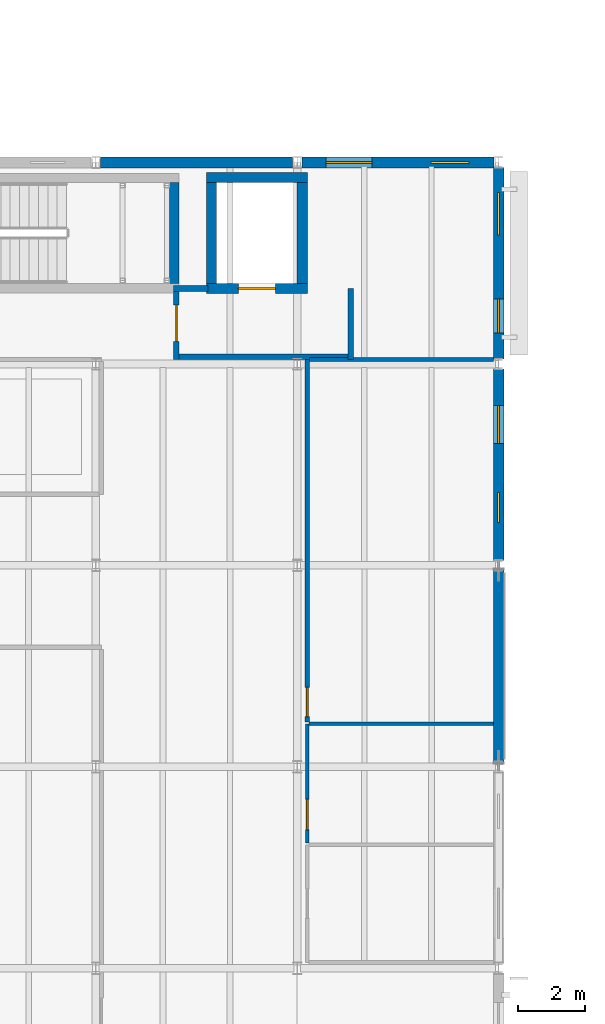
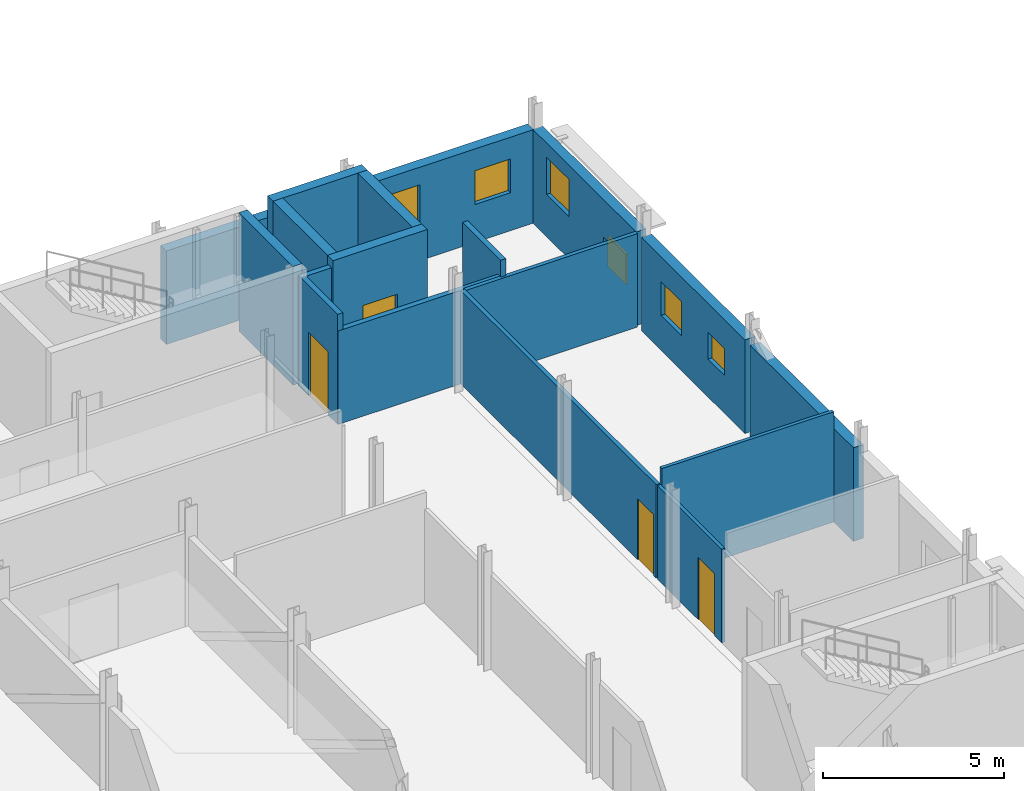
# One storey, part 71 of 92: 18 walls, 6 windows, 4 doors, 10 openings.
"""IFC4 building model written with IfcOpenShell, lengths in metres."""

from ifc_helpers import new_model, si_unit, direction, frame, frame_2d, origin, place, context, subcontext, project, spatial, rectangle, extrude, material, layer, layer_set, type_object, element, fill, save


model = new_model("IFC4")

# Units and contexts
model_context = context("Model", 3, precision=1e-05, world=origin(), true_north=direction((0.0, 1.0)))
body_context = subcontext(model_context, "Body", "Model", "MODEL_VIEW")
ifc_project = project(units=[si_unit("LENGTHUNIT", "METRE"), si_unit("AREAUNIT", "SQUARE_METRE"), si_unit("VOLUMEUNIT", "CUBIC_METRE"), si_unit("PLANEANGLEUNIT", "RADIAN"), si_unit("MASSUNIT", "GRAM", prefix="KILO")], contexts=[model_context])

# Site, building, storey
site_placement = place(None, origin())
site = spatial("IfcSite", under=ifc_project, at=site_placement, CompositionType="ELEMENT")
building_placement = place(site_placement, origin())
building = spatial("IfcBuilding", under=site, at=building_placement, Name="Siltcreek Boulevard Central Fire Station", CompositionType="ELEMENT")
storey_placement = place(building_placement, frame((0.0, 0.0, 6.0)))
storey = spatial("IfcBuildingStorey", under=building, at=storey_placement, Name="L02", CompositionType="ELEMENT", Elevation=6.0)

# Wall
ifc_material_1 = material(Name="Concrete C40/50", Category="concrete")
ifc_layer_1 = layer(ifc_material_1, 0.280029296875, Name="Concrete C40/50")
ifc_layer_set_1 = layer_set([ifc_layer_1], Name="Concrete C40/50")
wall_type_1 = type_object("IfcWallType", Name="CW_SHEAR280", PredefinedType="SHEAR", material=ifc_layer_set_1)
wall_1_placement = place(storey_placement, frame((98.340087890625, 50.39990234375, 0.0), z_axis=(0.0, 0.0, 1.0), x_axis=(0.0, 1.0, 0.0)))
element("IfcWall", 1, at=wall_1_placement, inside=storey, type_object=wall_type_1, Name="L02 ST-V2A stair enclosure east shear wall", PredefinedType="SHEAR", context=body_context, shape_type="SweptSolid", body=[
    extrude(rectangle(XDim=3.0, YDim=0.280029296875, at=frame_2d((1.5, 0.0))), origin(), (0.0, 0.0, 1.0), 4.0),
])

# Wall, opening, door
ifc_layer_2 = layer(ifc_material_1, 0.304931640625, Name="Concrete C40/50")
ifc_layer_set_2 = layer_set([ifc_layer_2], Name="Concrete C40/50")
wall_type_2 = type_object("IfcWallType", Name="CW_SHEAR305", PredefinedType="SHEAR", material=ifc_layer_set_2)
wall_2_placement = place(storey_placement, frame((99.294921875, 50.24755859375, 0.0), z_axis=(0.0, 0.0, 1.0), x_axis=(1.0, 0.0, 0.0)))
wall_2 = element("IfcWall", 2, at=wall_2_placement, inside=storey, type_object=wall_type_2, Name="L02 EL-03 elevator shaft south shear wall", PredefinedType="SHEAR", context=body_context, shape_type="SweptSolid", body=[
    extrude(rectangle(XDim=3.010009765625, YDim=0.304931640625, at=frame_2d((1.5048828125, 0.0))), origin(), (0.0, 0.0, 1.0), 4.0),
])
opening_1_placement = place(wall_2_placement, frame((0.955078125, 0.0, 0.0)))
opening_1 = element("IfcOpeningElement", 3, at=opening_1_placement, cuts=wall_2, Name="Opening LD01", PredefinedType="OPENING", context=body_context, shape_type="SweptSolid", body=[
    extrude(rectangle(XDim=1.10009765625, YDim=2.14990234375, at=frame_2d((0.550048828125, 1.074951171875))), frame((0.0, 0.162353515625, 0.0), z_axis=(0.0, -1.0, 0.0), x_axis=(1.0, 0.0, 0.0)), (0.0, 0.0, 1.0), 0.324951171875),
])
ifc_material_2 = material(Name="Stainless steel fire-rated sliding elevator landing door", Category="steel")
door_type_1 = type_object("IfcDoorType", Name="DR_LD_110X215", OperationType="NOTDEFINED", PredefinedType="DOOR", material=ifc_material_2)
door_1_placement = place(opening_1_placement, origin())
door_1 = element("IfcDoor", 4, at=door_1_placement, inside=storey, type_object=door_type_1, Name="L02 EL-03 elevator sliding landing door LD-14", OperationType="SLIDING_TO_LEFT", OverallHeight=2.14990234375, OverallWidth=1.10009765625, PredefinedType="DOOR", context=body_context, shape_type="SweptSolid", body=[
    extrude(rectangle(XDim=1.10009765625, YDim=2.14990234375, at=frame_2d((0.550048828125, 1.074951171875))), frame((0.0, 0.02490234375, 0.0), z_axis=(0.0, -1.0, 0.0), x_axis=(1.0, 0.0, 0.0)), (0.0, 0.0, 1.0), 0.050048828125),
])
fill(opening_1, door_1)

# Walls
wall_3_placement = place(storey_placement, frame((102.304931640625, 53.552490234375, 0.0), z_axis=(0.0, 0.0, 1.0), x_axis=(-1.0, 0.0, 0.0)))
element("IfcWall", 5, at=wall_3_placement, inside=storey, type_object=wall_type_2, Name="L02 EL-03 elevator shaft north shear wall", PredefinedType="SHEAR", context=body_context, shape_type="SweptSolid", body=[
    extrude(rectangle(XDim=3.010009765625, YDim=0.304931640625, at=frame_2d((1.5048828125, 0.0))), origin(), (0.0, 0.0, 1.0), 4.0),
])
for number, where, z_axis, x_axis, name in (
    (6, (99.447509765625, 53.39990234375, 0.0), (0.0, 0.0, 1.0), (0.0, -1.0, 0.0), "L02 EL-03 elevator shaft west shear wall"),
    (7, (102.152587890625, 50.39990234375, 0.0), (0.0, 0.0, 1.0), (0.0, 1.0, 0.0), "L02 EL-03 elevator shaft east shear wall"),
):
    element("IfcWall", number, at=place(storey_placement, frame(where, z_axis=z_axis, x_axis=x_axis)), inside=storey, type_object=wall_type_2, Name=name, PredefinedType="SHEAR", context=body_context, shape_type="SweptSolid", body=[
        extrude(rectangle(XDim=3.0, YDim=0.304931640625, at=frame_2d((1.5, 0.0))), origin(), (0.0, 0.0, 1.0), 4.0),
    ])
ifc_material_3 = material(Name="White ribbed aluminum insulated rainscreen panel", Category="aluminium")
ifc_layer_3 = layer(ifc_material_3, 0.320068359375, Name="White ribbed aluminum insulated rainscreen panel")
ifc_layer_set_3 = layer_set([ifc_layer_3], Name="White ribbed aluminum insulated rainscreen panel")
wall_type_3 = type_object("IfcWallType", Name="EW_METAL320", PredefinedType="STANDARD", material=ifc_layer_set_3)
wall_4_placement = place(storey_placement, frame((101.85498046875, 54.0, 0.0), z_axis=(0.0, 0.0, 1.0), x_axis=(-1.0, 0.0, 0.0)))
element("IfcWall", 8, at=wall_4_placement, inside=storey, type_object=wall_type_3, Name="L02 V2 exterior insulated rainscreen wall WL-EXT-L02-0073", PredefinedType="STANDARD", context=body_context, shape_type="SweptSolid", body=[
    extrude(rectangle(XDim=5.7099609375, YDim=0.320068359375, at=frame_2d((2.85498046875, 0.0))), origin(), (0.0, 0.0, 1.0), 3.153076171875),
])

# Wall, openings, windows
wall_5_placement = place(storey_placement, frame((107.85498046875, 54.0, 0.0), z_axis=(0.0, 0.0, 1.0), x_axis=(-1.0, 0.0, 0.0)))
wall_5 = element("IfcWall", 9, at=wall_5_placement, inside=storey, type_object=wall_type_3, Name="L02 V2 exterior insulated rainscreen wall WL-EXT-L02-0074", PredefinedType="STANDARD", context=body_context, shape_type="SweptSolid", body=[
    extrude(rectangle(XDim=5.7099609375, YDim=0.320068359375, at=frame_2d((2.85498046875, 0.0))), origin(), (0.0, 0.0, 1.0), 3.153076171875),
])
opening_2_placement = place(wall_5_placement, frame((0.73291015625, 0.0, 1.280029296875)))
opening_2 = element("IfcOpeningElement", 10, at=opening_2_placement, cuts=wall_5, Name="Opening WN39", PredefinedType="OPENING", context=body_context, shape_type="SweptSolid", body=[
    extrude(rectangle(XDim=1.139892578125, YDim=1.139892578125, at=frame_2d((0.56982421875, 0.56982421875))), frame((0.0, 0.169921875, 0.0), z_axis=(0.0, -1.0, 0.0), x_axis=(1.0, 0.0, 0.0)), (0.0, 0.0, 1.0), 0.340087890625),
])
opening_3_placement = place(wall_5_placement, frame((3.62109375, 0.0, 1.179931640625)))
opening_3 = element("IfcOpeningElement", 11, at=opening_3_placement, cuts=wall_5, Name="Opening WN41", PredefinedType="OPENING", context=body_context, shape_type="SweptSolid", body=[
    extrude(rectangle(XDim=1.3798828125, YDim=1.3798828125, at=frame_2d((0.68994140625, 0.68994140625))), frame((0.0, 0.169921875, 0.0), z_axis=(0.0, -1.0, 0.0), x_axis=(1.0, 0.0, 0.0)), (0.0, 0.0, 1.0), 0.340087890625),
])
ifc_material_4 = material(Name="Thermally broken aluminum frame with low-E insulated glass", Category="aluminium")
window_type_1 = type_object("IfcWindowType", Name="WN_SQ_114X114", PartitioningType="SINGLE_PANEL", PredefinedType="WINDOW", material=ifc_material_4)
window_1_placement = place(opening_2_placement, origin())
window_1 = element("IfcWindow", 12, at=window_1_placement, inside=storey, type_object=window_type_1, Name="L02 V2 square exterior window WN-0049", OverallHeight=1.139892578125, OverallWidth=1.139892578125, PartitioningType="SINGLE_PANEL", PredefinedType="WINDOW", context=body_context, shape_type="SweptSolid", body=[
    extrude(rectangle(XDim=1.139892578125, YDim=1.139892578125, at=frame_2d((0.56982421875, 0.56982421875))), frame((0.0, 0.030029296875, 0.0), z_axis=(0.0, -1.0, 0.0), x_axis=(1.0, 0.0, 0.0)), (0.0, 0.0, 1.0), 0.06005859375),
])
fill(opening_2, window_1)
window_type_2 = type_object("IfcWindowType", Name="WN_SQ_138X138", PartitioningType="SINGLE_PANEL", PredefinedType="WINDOW", material=ifc_material_4)
window_2_placement = place(opening_3_placement, origin())
window_2 = element("IfcWindow", 13, at=window_2_placement, inside=storey, type_object=window_type_2, Name="L02 V2 square exterior window WN-0050", OverallHeight=1.3798828125, OverallWidth=1.3798828125, PartitioningType="SINGLE_PANEL", PredefinedType="WINDOW", context=body_context, shape_type="SweptSolid", body=[
    extrude(rectangle(XDim=1.3798828125, YDim=1.3798828125, at=frame_2d((0.68994140625, 0.68994140625))), frame((0.0, 0.030029296875, 0.0), z_axis=(0.0, -1.0, 0.0), x_axis=(1.0, 0.0, 0.0)), (0.0, 0.0, 1.0), 0.06005859375),
])
fill(opening_3, window_2)

# Wall
wall_6_placement = place(storey_placement, frame((108.0, 36.14501953125, 0.0), z_axis=(0.0, 0.0, 1.0), x_axis=(0.0, 1.0, 0.0)))
element("IfcWall", 14, at=wall_6_placement, inside=storey, type_object=wall_type_3, Name="L02 V2 exterior insulated rainscreen wall WL-EXT-L02-0078", PredefinedType="STANDARD", context=body_context, shape_type="SweptSolid", body=[
    extrude(rectangle(XDim=5.7099609375, YDim=0.320068359375, at=frame_2d((2.85498046875, 0.0))), origin(), (0.0, 0.0, 1.0), 3.156982421875),
])

# Wall, openings, windows
wall_7_placement = place(storey_placement, frame((108.0, 42.14501953125, 0.0), z_axis=(0.0, 0.0, 1.0), x_axis=(0.0, 1.0, 0.0)))
wall_7 = element("IfcWall", 15, at=wall_7_placement, inside=storey, type_object=wall_type_3, Name="L02 V2 exterior insulated rainscreen wall WL-EXT-L02-0079", PredefinedType="STANDARD", context=body_context, shape_type="SweptSolid", body=[
    extrude(rectangle(XDim=5.7099609375, YDim=0.320068359375, at=frame_2d((2.85498046875, 0.0))), origin(), (0.0, 0.0, 1.0), 3.156982421875),
])
opening_4_placement = place(wall_7_placement, frame((1.13134765625, 0.0, 1.280029296875)))
opening_4 = element("IfcOpeningElement", 16, at=opening_4_placement, cuts=wall_7, Name="Opening WN37", PredefinedType="OPENING", context=body_context, shape_type="SweptSolid", body=[
    extrude(rectangle(XDim=0.89990234375, YDim=0.89990234375, at=frame_2d((0.449951171875, 0.449951171875))), frame((0.0, 0.169921875, 0.0), z_axis=(0.0, -1.0, 0.0), x_axis=(1.0, 0.0, 0.0)), (0.0, 0.0, 1.0), 0.340087890625),
])
opening_5_placement = place(wall_7_placement, frame((3.4833984375, 0.0, 1.179931640625)))
opening_5 = element("IfcOpeningElement", 17, at=opening_5_placement, cuts=wall_7, Name="Opening WN39", PredefinedType="OPENING", context=body_context, shape_type="SweptSolid", body=[
    extrude(rectangle(XDim=1.139892578125, YDim=1.139892578125, at=frame_2d((0.56982421875, 0.56982421875))), frame((0.0, 0.169921875, 0.0), z_axis=(0.0, -1.0, 0.0), x_axis=(1.0, 0.0, 0.0)), (0.0, 0.0, 1.0), 0.340087890625),
])
window_type_3 = type_object("IfcWindowType", Name="WN_SQ_090X090", PartitioningType="SINGLE_PANEL", PredefinedType="WINDOW", material=ifc_material_4)
window_3_placement = place(opening_4_placement, origin())
window_3 = element("IfcWindow", 18, at=window_3_placement, inside=storey, type_object=window_type_3, Name="L02 V2 square exterior window WN-0057", OverallHeight=0.89990234375, OverallWidth=0.89990234375, PartitioningType="SINGLE_PANEL", PredefinedType="WINDOW", context=body_context, shape_type="SweptSolid", body=[
    extrude(rectangle(XDim=0.89990234375, YDim=0.89990234375, at=frame_2d((0.449951171875, 0.449951171875))), frame((0.0, 0.030029296875, 0.0), z_axis=(0.0, -1.0, 0.0), x_axis=(1.0, 0.0, 0.0)), (0.0, 0.0, 1.0), 0.06005859375),
])
fill(opening_4, window_3)
window_4_placement = place(opening_5_placement, origin())
window_4 = element("IfcWindow", 19, at=window_4_placement, inside=storey, type_object=window_type_1, Name="L02 V2 square exterior window WN-0058", OverallHeight=1.139892578125, OverallWidth=1.139892578125, PartitioningType="SINGLE_PANEL", PredefinedType="WINDOW", context=body_context, shape_type="SweptSolid", body=[
    extrude(rectangle(XDim=1.139892578125, YDim=1.139892578125, at=frame_2d((0.56982421875, 0.56982421875))), frame((0.0, 0.030029296875, 0.0), z_axis=(0.0, -1.0, 0.0), x_axis=(1.0, 0.0, 0.0)), (0.0, 0.0, 1.0), 0.06005859375),
])
fill(opening_5, window_4)

wall_8_placement = place(storey_placement, frame((108.0, 48.14501953125, 0.0), z_axis=(0.0, 0.0, 1.0), x_axis=(0.0, 1.0, 0.0)))
wall_8 = element("IfcWall", 20, at=wall_8_placement, inside=storey, type_object=wall_type_3, Name="L02 V2 exterior insulated rainscreen wall WL-EXT-L02-0080", PredefinedType="STANDARD", context=body_context, shape_type="SweptSolid", body=[
    extrude(rectangle(XDim=5.7099609375, YDim=0.320068359375, at=frame_2d((2.85498046875, 0.0))), origin(), (0.0, 0.0, 1.0), 3.156982421875),
])
opening_6_placement = place(wall_8_placement, frame((0.77490234375, 0.0, 0.860107421875)))
opening_6 = element("IfcOpeningElement", 21, at=opening_6_placement, cuts=wall_8, Name="Opening WN38", PredefinedType="OPENING", context=body_context, shape_type="SweptSolid", body=[
    extrude(rectangle(XDim=1.02001953125, YDim=1.02001953125, at=frame_2d((0.510009765625, 0.510009765625))), frame((0.0, 0.169921875, 0.0), z_axis=(0.0, -1.0, 0.0), x_axis=(1.0, 0.0, 0.0)), (0.0, 0.0, 1.0), 0.340087890625),
])
opening_7_placement = place(wall_8_placement, frame((3.69921875, 0.0, 1.419921875)))
opening_7 = element("IfcOpeningElement", 22, at=opening_7_placement, cuts=wall_8, Name="Opening WN40", PredefinedType="OPENING", context=body_context, shape_type="SweptSolid", body=[
    extrude(rectangle(XDim=1.260009765625, YDim=1.260009765625, at=frame_2d((0.6298828125, 0.6298828125))), frame((0.0, 0.169921875, 0.0), z_axis=(0.0, -1.0, 0.0), x_axis=(1.0, 0.0, 0.0)), (0.0, 0.0, 1.0), 0.340087890625),
])
window_type_4 = type_object("IfcWindowType", Name="WN_SQ_102X102", PartitioningType="SINGLE_PANEL", PredefinedType="WINDOW", material=ifc_material_4)
window_5_placement = place(opening_6_placement, origin())
window_5 = element("IfcWindow", 23, at=window_5_placement, inside=storey, type_object=window_type_4, Name="L02 V2 square exterior window WN-0059", OverallHeight=1.02001953125, OverallWidth=1.02001953125, PartitioningType="SINGLE_PANEL", PredefinedType="WINDOW", context=body_context, shape_type="SweptSolid", body=[
    extrude(rectangle(XDim=1.02001953125, YDim=1.02001953125, at=frame_2d((0.510009765625, 0.510009765625))), frame((0.0, 0.030029296875, 0.0), z_axis=(0.0, -1.0, 0.0), x_axis=(1.0, 0.0, 0.0)), (0.0, 0.0, 1.0), 0.06005859375),
])
fill(opening_6, window_5)
window_type_5 = type_object("IfcWindowType", Name="WN_SQ_126X126", PartitioningType="SINGLE_PANEL", PredefinedType="WINDOW", material=ifc_material_4)
window_6_placement = place(opening_7_placement, origin())
window_6 = element("IfcWindow", 24, at=window_6_placement, inside=storey, type_object=window_type_5, Name="L02 V2 square exterior window WN-0060", OverallHeight=1.260009765625, OverallWidth=1.260009765625, PartitioningType="SINGLE_PANEL", PredefinedType="WINDOW", context=body_context, shape_type="SweptSolid", body=[
    extrude(rectangle(XDim=1.260009765625, YDim=1.260009765625, at=frame_2d((0.6298828125, 0.6298828125))), frame((0.0, 0.030029296875, 0.0), z_axis=(0.0, -1.0, 0.0), x_axis=(1.0, 0.0, 0.0)), (0.0, 0.0, 1.0), 0.06005859375),
])
fill(opening_7, window_6)

# Wall, opening, door
ifc_material_5 = material(Name="Interior steel stud gypsum partition", Category="steel")
ifc_layer_4 = layer(ifc_material_5, 0.125, Name="Interior steel stud gypsum partition")
ifc_layer_set_4 = layer_set([ifc_layer_4], Name="Interior steel stud gypsum partition")
wall_type_4 = type_object("IfcWallType", Name="IW_PART125", PredefinedType="PARTITIONING", material=ifc_layer_set_4)
wall_9_placement = place(storey_placement, frame((102.300048828125, 37.3349609375, 0.0), z_axis=(0.0, 0.0, 1.0), x_axis=(0.0, 1.0, 0.0)))
wall_9 = element("IfcWall", 25, at=wall_9_placement, inside=storey, type_object=wall_type_4, Name="L02 Station Pantry and Linen Store partition 0152", PredefinedType="PARTITIONING", context=body_context, shape_type="SweptSolid", body=[
    extrude(rectangle(XDim=10.802490234375, YDim=0.125, at=frame_2d((5.4013671875, 0.0))), origin(), (0.0, 0.0, 1.0), 3.156982421875),
])
opening_8_placement = place(wall_9_placement, frame((0.159912109375, 0.0, 0.0)))
opening_8 = element("IfcOpeningElement", 26, at=opening_8_placement, cuts=wall_9, Name="Opening ID09", PredefinedType="OPENING", context=body_context, shape_type="SweptSolid", body=[
    extrude(rectangle(XDim=0.8701171875, YDim=2.06005859375, at=frame_2d((0.43505859375, 1.030029296875))), frame((0.0, 0.072509765625, 0.0), z_axis=(0.0, -1.0, 0.0), x_axis=(1.0, 0.0, 0.0)), (0.0, 0.0, 1.0), 0.14501953125),
])
ifc_material_6 = material(Name="Moisture-resistant staff toilet door")
door_type_2 = type_object("IfcDoorType", Name="DR_WC_087X206", OperationType="NOTDEFINED", PredefinedType="DOOR", material=ifc_material_6)
door_2_placement = place(opening_8_placement, frame((0.8701171875, 0.0, 0.0), z_axis=(0.0, 0.0, 1.0), x_axis=(-1.0, 0.0, 0.0)))
door_2 = element("IfcDoor", 27, at=door_2_placement, inside=storey, type_object=door_type_2, Name="L02 Station Pantry and Linen Store door ID-0070", OperationType="SINGLE_SWING_LEFT", OverallHeight=2.06005859375, OverallWidth=0.8701171875, PredefinedType="DOOR", context=body_context, shape_type="SweptSolid", body=[
    extrude(rectangle(XDim=0.8701171875, YDim=2.06005859375, at=frame_2d((0.43505859375, 1.030029296875))), frame((0.0, 0.02490234375, 0.0), z_axis=(0.0, -1.0, 0.0), x_axis=(1.0, 0.0, 0.0)), (0.0, 0.0, 1.0), 0.050048828125),
])
fill(opening_8, door_2)

# Walls
wall_10_placement = place(storey_placement, frame((102.362548828125, 48.1298828125, 0.0), z_axis=(0.0, 0.0, 1.0), x_axis=(1.0, 0.0, 0.0)))
element("IfcWall", 28, at=wall_10_placement, inside=storey, type_object=wall_type_4, Name="L02 Station Pantry and Linen Store partition 0153", PredefinedType="PARTITIONING", context=body_context, shape_type="SweptSolid", body=[
    extrude(rectangle(XDim=5.4775390625, YDim=0.125, at=frame_2d((2.73876953125, 0.0))), origin(), (0.0, 0.0, 1.0), 3.153076171875),
])
ifc_material_7 = material(Name="Acoustic smoke-barrier steel stud gypsum wall", Category="steel")
ifc_layer_5 = layer(ifc_material_7, 0.1650390625, Name="Acoustic smoke-barrier steel stud gypsum wall")
ifc_layer_set_5 = layer_set([ifc_layer_5], Name="Acoustic smoke-barrier steel stud gypsum wall")
wall_type_5 = type_object("IfcWallType", Name="IW_SMK165", PredefinedType="PARTITIONING", material=ifc_layer_set_5)
wall_11_placement = place(storey_placement, frame((98.320068359375, 48.219970703125, 0.0), z_axis=(0.0, 0.0, 1.0), x_axis=(1.0, 0.0, 0.0)))
element("IfcWall", 29, at=wall_11_placement, inside=storey, type_object=wall_type_5, Name="L02 EL-03 elevator lobby S smoke partition", PredefinedType="PARTITIONING", context=body_context, shape_type="SweptSolid", body=[
    extrude(rectangle(XDim=5.35986328125, YDim=0.1650390625, at=frame_2d((2.679931640625, 0.0))), origin(), (0.0, 0.0, 1.0), 3.153076171875),
])
wall_12_placement = place(storey_placement, frame((103.60009765625, 48.139892578125, 0.0), z_axis=(0.0, 0.0, 1.0), x_axis=(0.0, 1.0, 0.0)))
element("IfcWall", 30, at=wall_12_placement, inside=storey, type_object=wall_type_5, Name="L02 EL-03 elevator lobby E smoke partition", PredefinedType="PARTITIONING", context=body_context, shape_type="SweptSolid", body=[
    extrude(rectangle(XDim=2.107666015625, YDim=0.1650390625, at=frame_2d((1.0537109375, 0.0))), origin(), (0.0, 0.0, 1.0), 3.719970703125),
])
wall_13_placement = place(storey_placement, frame((98.320068359375, 50.24755859375, 0.0), z_axis=(0.0, 0.0, 1.0), x_axis=(1.0, 0.0, 0.0)))
element("IfcWall", 31, at=wall_13_placement, inside=storey, type_object=wall_type_5, Name="L02 EL-03 elevator lobby NW smoke partition", PredefinedType="PARTITIONING", context=body_context, shape_type="SweptSolid", body=[
    extrude(rectangle(XDim=1.014892578125, YDim=0.1650390625, at=frame_2d((0.50732421875, 0.0))), origin(), (0.0, 0.0, 1.0), 3.719970703125),
])

# Wall, opening, door
wall_14_placement = place(storey_placement, frame((98.39990234375, 48.139892578125, 0.0), z_axis=(0.0, 0.0, 1.0), x_axis=(0.0, 1.0, 0.0)))
wall_14 = element("IfcWall", 32, at=wall_14_placement, inside=storey, type_object=wall_type_5, Name="L02 EL-03 elevator lobby west smoke partition", PredefinedType="PARTITIONING", context=body_context, shape_type="SweptSolid", body=[
    extrude(rectangle(XDim=2.147705078125, YDim=0.1650390625, at=frame_2d((1.07373046875, 0.0))), origin(), (0.0, 0.0, 1.0), 3.719970703125),
])
opening_9_placement = place(wall_14_placement, frame((0.53369140625, 0.0, 0.0)))
opening_9 = element("IfcOpeningElement", 33, at=opening_9_placement, cuts=wall_14, Name="Opening DD01", PredefinedType="OPENING", context=body_context, shape_type="SweptSolid", body=[
    extrude(rectangle(XDim=1.080078125, YDim=2.139892578125, at=frame_2d((0.5400390625, 1.06982421875))), frame((0.0, 0.092529296875, 0.0), z_axis=(0.0, -1.0, 0.0), x_axis=(1.0, 0.0, 0.0)), (0.0, 0.0, 1.0), 0.18505859375),
])
ifc_material_8 = material(Name="Stainless steel positive-pressure decon airlock door", Category="steel")
door_type_3 = type_object("IfcDoorType", Name="DR_DEC_108X214", OperationType="NOTDEFINED", PredefinedType="DOOR", material=ifc_material_8)
door_3_placement = place(opening_9_placement, frame((1.080078125, 0.0, 0.0), z_axis=(0.0, 0.0, 1.0), x_axis=(-1.0, 0.0, 0.0)))
door_3 = element("IfcDoor", 34, at=door_3_placement, inside=storey, type_object=door_type_3, Name="L02 EL-03 elevator lobby smoke door", OperationType="SINGLE_SWING_LEFT", OverallHeight=2.139892578125, OverallWidth=1.080078125, PredefinedType="DOOR", context=body_context, shape_type="SweptSolid", body=[
    extrude(rectangle(XDim=1.080078125, YDim=2.139892578125, at=frame_2d((0.5400390625, 1.06982421875))), frame((0.0, 0.02490234375, 0.0), z_axis=(0.0, -1.0, 0.0), x_axis=(1.0, 0.0, 0.0)), (0.0, 0.0, 1.0), 0.050048828125),
])
fill(opening_9, door_3)

ifc_material_9 = material(Name="Moisture-resistant tile backer toilet partition", Category="gypsum")
ifc_layer_6 = layer(ifc_material_9, 0.110107421875, Name="Moisture-resistant tile backer toilet partition")
ifc_layer_set_6 = layer_set([ifc_layer_6], Name="Moisture-resistant tile backer toilet partition")
wall_type_6 = type_object("IfcWallType", Name="IW_WET110", PredefinedType="PARTITIONING", material=ifc_layer_set_6)
wall_15_placement = place(storey_placement, frame((102.300048828125, 33.735107421875, 0.0), z_axis=(0.0, 0.0, 1.0), x_axis=(0.0, 1.0, 0.0)))
wall_15 = element("IfcWall", 35, at=wall_15_placement, inside=storey, type_object=wall_type_6, Name="L02 Crew Accessible Toilet L02 partition 0150", PredefinedType="PARTITIONING", context=body_context, shape_type="SweptSolid", body=[
    extrude(rectangle(XDim=3.539794921875, YDim=0.110107421875, at=frame_2d((1.77001953125, 0.0))), origin(), (0.0, 0.0, 1.0), 3.156982421875),
])
opening_10_placement = place(wall_15_placement, frame((0.39208984375, 0.0, 0.0)))
opening_10 = element("IfcOpeningElement", 36, at=opening_10_placement, cuts=wall_15, Name="Opening ID08", PredefinedType="OPENING", context=body_context, shape_type="SweptSolid", body=[
    extrude(rectangle(XDim=0.89990234375, YDim=2.10009765625, at=frame_2d((0.449951171875, 1.050048828125))), frame((0.0, 0.06494140625, 0.0), z_axis=(0.0, -1.0, 0.0), x_axis=(1.0, 0.0, 0.0)), (0.0, 0.0, 1.0), 0.130126953125),
])
ifc_material_10 = material(Name="Moisture-resistant accessible toilet door")
door_type_4 = type_object("IfcDoorType", Name="DR_WC_090X210", OperationType="NOTDEFINED", PredefinedType="DOOR", material=ifc_material_10)
door_4_placement = place(opening_10_placement, frame((0.89990234375, 0.0, 0.0), z_axis=(0.0, 0.0, 1.0), x_axis=(-1.0, 0.0, 0.0)))
door_4 = element("IfcDoor", 37, at=door_4_placement, inside=storey, type_object=door_type_4, Name="L02 Crew Accessible Toilet L02 door ID-0069", OperationType="SINGLE_SWING_RIGHT", OverallHeight=2.10009765625, OverallWidth=0.89990234375, PredefinedType="DOOR", context=body_context, shape_type="SweptSolid", body=[
    extrude(rectangle(XDim=0.89990234375, YDim=2.10009765625, at=frame_2d((0.449951171875, 1.050048828125))), frame((0.0, 0.02490234375, 0.0), z_axis=(0.0, -1.0, 0.0), x_axis=(1.0, 0.0, 0.0)), (0.0, 0.0, 1.0), 0.050048828125),
])
fill(opening_10, door_4)

# Wall
wall_16_placement = place(storey_placement, frame((102.35498046875, 37.280029296875, 0.0), z_axis=(0.0, 0.0, 1.0), x_axis=(1.0, 0.0, 0.0)))
element("IfcWall", 38, at=wall_16_placement, inside=storey, type_object=wall_type_6, Name="L02 Crew Accessible Toilet L02 partition 0151", PredefinedType="PARTITIONING", context=body_context, shape_type="SweptSolid", body=[
    extrude(rectangle(XDim=5.485107421875, YDim=0.110107421875, at=frame_2d((2.74267578125, 0.0))), origin(), (0.0, 0.0, 1.0), 3.719970703125),
])

save(model, "model.ifc")
